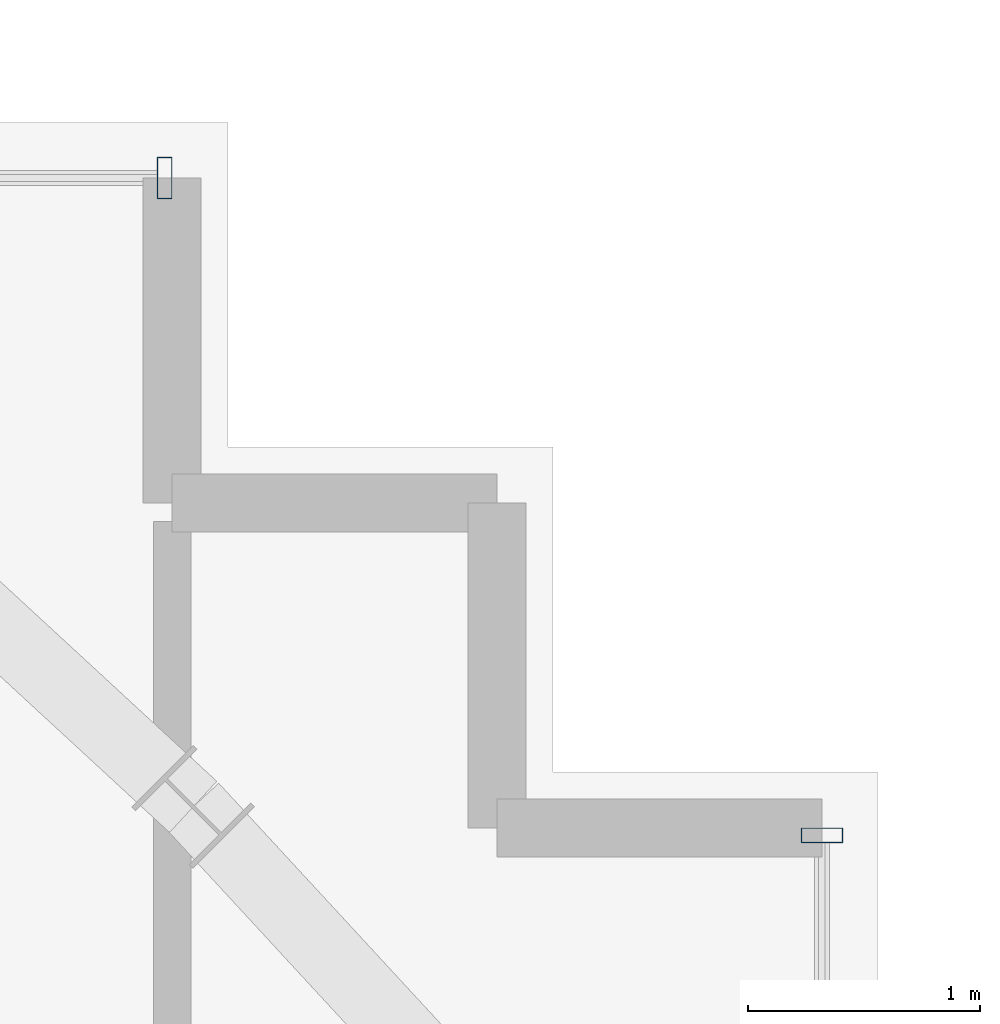
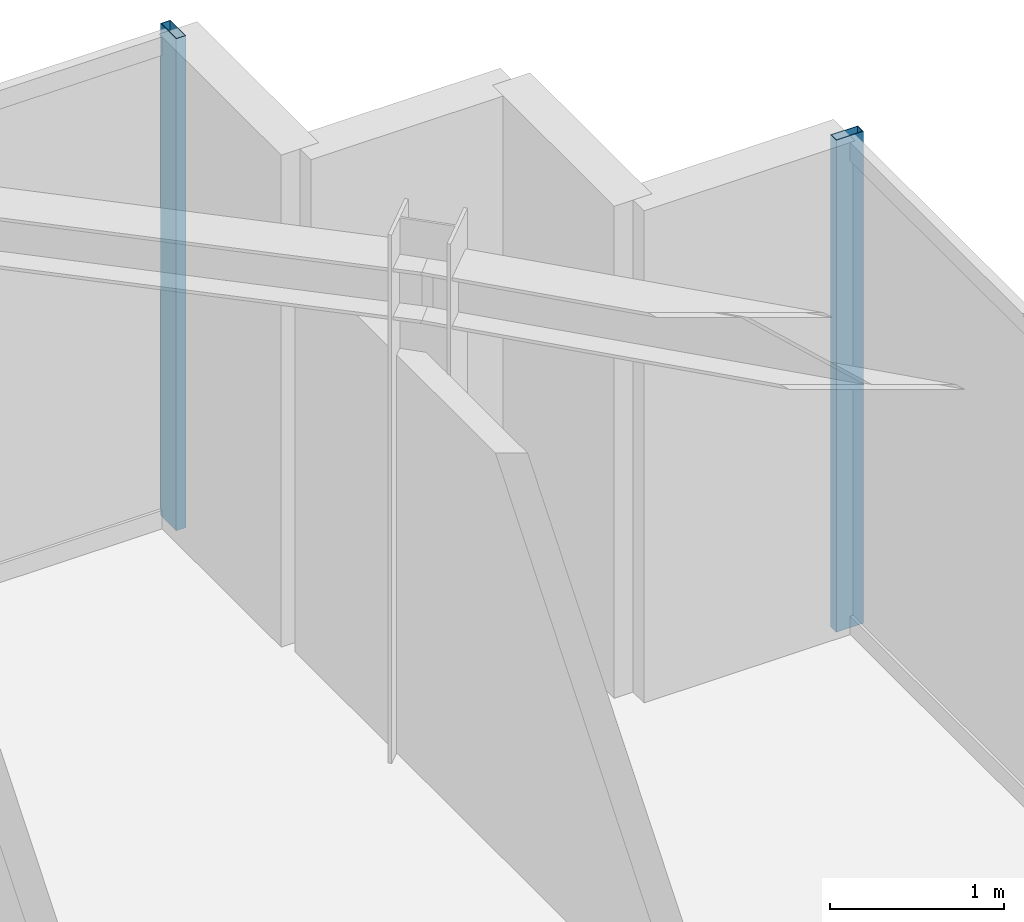
# One storey, part 22 of 31: 2 members, 2 elements without a shape of their own.
"""IFC4 building model written with IfcOpenShell, lengths in metres."""

from ifc_helpers import new_model, si_unit, direction, frame, origin, origin_2d, place, context, subcontext, project, spatial, hollow_rectangle, extrude, source, transform, mapped, material, material_profile, profile_set, type_object, element, aggregate, save


model = new_model("IFC4")

# Units and contexts
model_context = context("Model", 3, precision=1e-05, world=origin(), true_north=direction((0.0, 1.0)))
body_context = subcontext(model_context, "Body", "Model", "MODEL_VIEW")
ifc_project = project(units=[si_unit("LENGTHUNIT", "METRE"), si_unit("AREAUNIT", "SQUARE_METRE"), si_unit("VOLUMEUNIT", "CUBIC_METRE"), si_unit("PLANEANGLEUNIT", "RADIAN"), si_unit("MASSUNIT", "GRAM", prefix="KILO")], contexts=[model_context])

# Site, building, storey
site_placement = place(None, origin())
site = spatial("IfcSite", under=ifc_project, at=site_placement, CompositionType="ELEMENT")
building_placement = place(site_placement, origin())
building = spatial("IfcBuilding", under=site, at=building_placement, Name="Nahalor Promenade Grand Hotel", CompositionType="ELEMENT")
storey_placement = place(building_placement, frame((0.0, 0.0, 281.300048828125)))
storey = spatial("IfcBuildingStorey", under=building, at=storey_placement, Name="L72", CompositionType="ELEMENT", Elevation=281.300048828125)

# Curtain wall, member
ifc_material = material(Name="Anodised Bronze Aluminium EN AW-6063 T6", Category="aluminium")
curtain_wall_type = type_object("IfcCurtainWallType", Name="CW2 Typical Hotel Flush Bronze Unitised Curtain Wall", PredefinedType="USERDEFINED", material=ifc_material)
curtain_wall_1_placement = place(storey_placement, origin())
curtain_wall_1 = element("IfcCurtainWall", 1, at=curtain_wall_1_placement, inside=storey, type_object=curtain_wall_type, Name="L72 Curtain Wall CW-L72-N-3", ObjectType="UNITISED_CURTAIN_WALL", PredefinedType="USERDEFINED")
ifc_material_profile = material_profile(ifc_material, hollow_rectangle(XDim=0.065, YDim=0.18, WallThickness=0.004, at=origin_2d()), Name="CWM 65x180x4")
ifc_profile_set = profile_set([ifc_material_profile], Name="Anodised Bronze Aluminium EN AW-6063 T6")
member_type = type_object("IfcMemberType", Name="CWM2 Typical Bronze Mullion 65x180", PredefinedType="MULLION", material=ifc_profile_set)
shared_shape = source(origin(), body_context, "Body", "SweptSolid", [
    extrude(hollow_rectangle(XDim=0.065, YDim=0.18, WallThickness=0.004, at=origin_2d()), origin(), (0.0, 0.0, 1.0), 3.449951171875),
])
member_1_placement = place(storey_placement, frame((19.7275390625, 22.56005859375, 0.0), z_axis=(0.0, 0.0, 1.0), x_axis=(1.0, 0.0, 0.0)))
member_1 = element("IfcMember", 2, at=member_1_placement, type_object=member_type, Name="CW-L72-N-3 Mullion 2", PredefinedType="MULLION", context=body_context, shape_type="MappedRepresentation", body=[
    mapped(shared_shape, transform((0.0, 0.0, 0.0), scale=1.0)),
])
aggregate(curtain_wall_1, [member_1])

curtain_wall_2_placement = place(storey_placement, origin())
curtain_wall_2 = element("IfcCurtainWall", 3, at=curtain_wall_2_placement, inside=storey, type_object=curtain_wall_type, Name="L72 Curtain Wall CW-L72-E-3", ObjectType="UNITISED_CURTAIN_WALL", PredefinedType="USERDEFINED")
member_2_placement = place(storey_placement, frame((22.56005859375, 19.7275390625, 0.0), z_axis=(0.0, 0.0, 1.0), x_axis=(0.0, 1.0, 0.0)))
member_2 = element("IfcMember", 4, at=member_2_placement, type_object=member_type, Name="CW-L72-E-3 Mullion 2", PredefinedType="MULLION", context=body_context, shape_type="MappedRepresentation", body=[
    mapped(shared_shape, transform((0.0, 0.0, 0.0), scale=1.0)),
])
aggregate(curtain_wall_2, [member_2])

save(model, "model.ifc")
